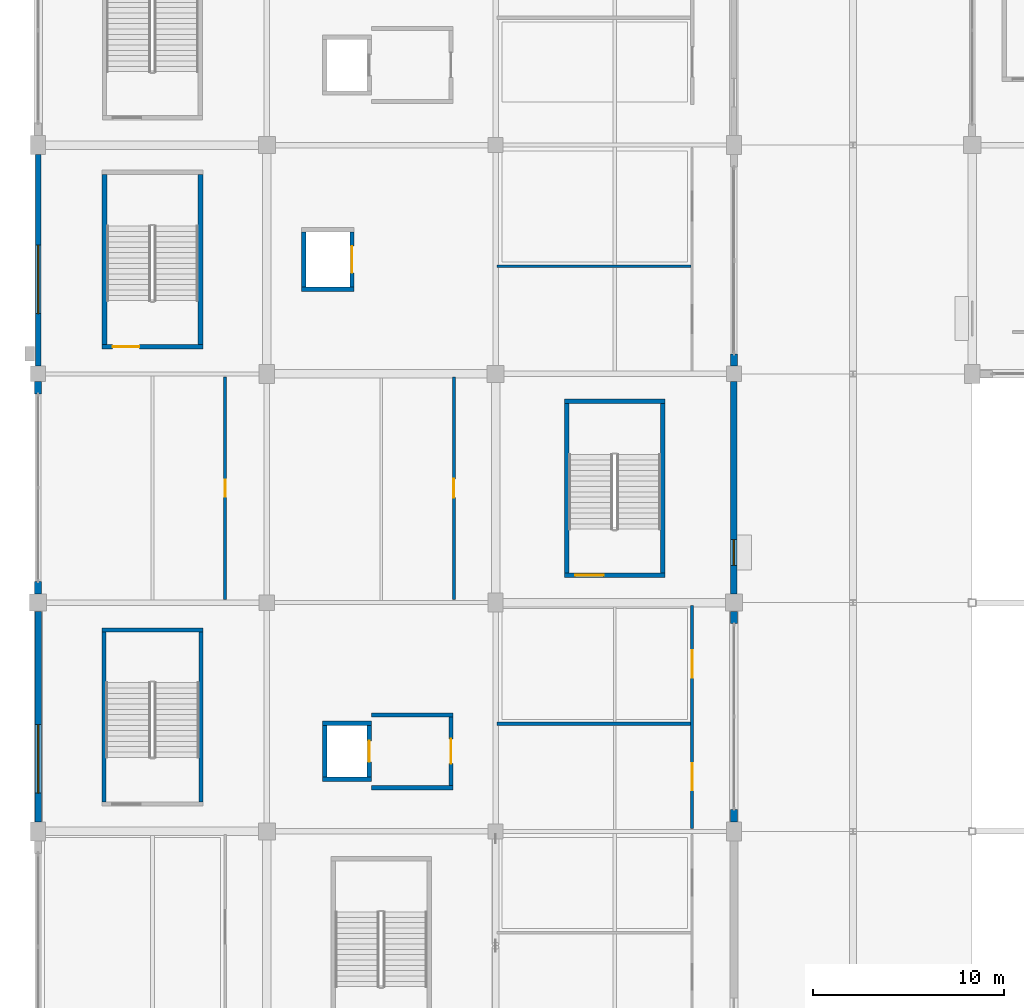
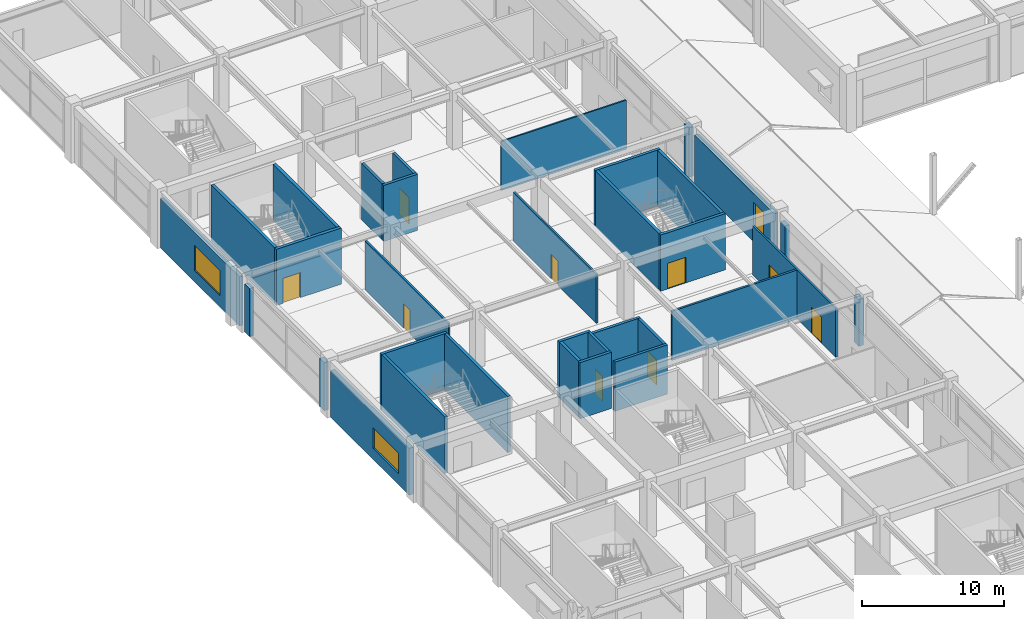
# One storey, part 71 of 116: 33 walls, 9 doors, 3 windows, 12 openings.
"""IFC4 building model written with IfcOpenShell, lengths in metres."""

from ifc_helpers import new_model, si_unit, direction, frame, frame_2d, origin, place, context, subcontext, project, spatial, rectangle, extrude, material, layer, layer_set, type_object, element, fill, save


model = new_model("IFC4")

# Units and contexts
model_context = context("Model", 3, precision=1e-05, world=origin(), true_north=direction((0.0, 1.0)))
body_context = subcontext(model_context, "Body", "Model", "MODEL_VIEW")
ifc_project = project(units=[si_unit("LENGTHUNIT", "METRE"), si_unit("AREAUNIT", "SQUARE_METRE"), si_unit("VOLUMEUNIT", "CUBIC_METRE"), si_unit("PLANEANGLEUNIT", "RADIAN"), si_unit("MASSUNIT", "GRAM", prefix="KILO")], contexts=[model_context])

# Site, building, storey
site_placement = place(None, origin())
site = spatial("IfcSite", under=ifc_project, at=site_placement, CompositionType="ELEMENT")
building_placement = place(site_placement, origin())
building = spatial("IfcBuilding", under=site, at=building_placement, Name="Kazenohara Klinker Stadium", CompositionType="ELEMENT")
storey_placement = place(building_placement, frame((0.0, 0.0, 10.199951171875)))
storey = spatial("IfcBuildingStorey", under=building, at=storey_placement, Name="L02", CompositionType="ELEMENT", Elevation=10.199951171875)

# Walls
ifc_material_1 = material(Name="Concrete C40/50", Category="concrete")
ifc_layer_1 = layer(ifc_material_1, 0.22998046875)
ifc_layer_set_1 = layer_set([ifc_layer_1], Name="Concrete C40/50")
wall_type_1 = type_object("IfcWallType", Name="WAL-CORE-230", PredefinedType="SHEAR", material=ifc_layer_set_1)
wall_1_placement = place(storey_placement, frame((3.340087890625, 118.56494140625, 0.0), z_axis=(0.0, 0.0, 1.0), x_axis=(1.0, 0.0, 0.0)))
element("IfcWall", 1, at=wall_1_placement, inside=storey, type_object=wall_type_1, Name="Stairwell shear wall ST04 L02 North", PredefinedType="SHEAR", context=body_context, shape_type="SweptSolid", body=[
    extrude(rectangle(XDim=5.31982421875, YDim=0.22998046875, at=frame_2d((2.659912109375, 0.0))), origin(), (0.0, 0.0, 1.0), 4.820068359375),
])
for number, where, z_axis, x_axis, name in (
    (2, (3.455078125, 109.550048828125, 0.0), (0.0, 0.0, 1.0), (0.0, 1.0, 0.0), "Stairwell shear wall ST04 L02 West"),
    (3, (8.544921875, 109.550048828125, 0.0), (0.0, 0.0, 1.0), (0.0, 1.0, 0.0), "Stairwell shear wall ST04 L02 East"),
):
    element("IfcWall", number, at=place(storey_placement, frame(where, z_axis=z_axis, x_axis=x_axis)), inside=storey, type_object=wall_type_1, Name=name, PredefinedType="SHEAR", context=body_context, shape_type="SweptSolid", body=[
        extrude(rectangle(XDim=8.89990234375, YDim=0.22998046875, at=frame_2d((4.449951171875, 0.0))), origin(), (0.0, 0.0, 1.0), 4.820068359375),
    ])

# Wall, opening, door
wall_2_placement = place(storey_placement, frame((27.6201171875, 121.43505859375, 0.0), z_axis=(0.0, 0.0, 1.0), x_axis=(1.0, 0.0, 0.0)))
wall_2 = element("IfcWall", 4, at=wall_2_placement, inside=storey, type_object=wall_type_1, Name="Stairwell shear wall ST18 L02 South", PredefinedType="SHEAR", context=body_context, shape_type="SweptSolid", body=[
    extrude(rectangle(XDim=5.259765625, YDim=0.22998046875, at=frame_2d((2.6298828125, 0.0))), origin(), (0.0, 0.0, 1.0), 4.820068359375),
])
opening_1_placement = place(wall_2_placement, frame((0.550048828125, 0.0, 0.0)))
opening_1 = element("IfcOpeningElement", 5, at=opening_1_placement, cuts=wall_2, Name="Opening SD02", PredefinedType="OPENING", context=body_context, shape_type="SweptSolid", body=[
    extrude(rectangle(XDim=1.5, YDim=2.199951171875, at=frame_2d((0.75, 1.10009765625))), frame((0.0, 0.125, 0.0), z_axis=(0.0, -1.0, 0.0), x_axis=(1.0, 0.0, 0.0)), (0.0, 0.0, 1.0), 0.25),
])
ifc_material_2 = material(Name="Flush painted steel fire door leaf", Category="steel")
door_type_1 = type_object("IfcDoorType", Name="DR-STR-1500x2200", OperationType="NOTDEFINED", PredefinedType="DOOR", material=ifc_material_2)
door_1_placement = place(opening_1_placement, origin())
door_1 = element("IfcDoor", 6, at=door_1_placement, inside=storey, type_object=door_type_1, Name="Escape stairwell fire door ST18-L02", OperationType="SINGLE_SWING_RIGHT", OverallHeight=2.199951171875, OverallWidth=1.5, PredefinedType="DOOR", context=body_context, shape_type="SweptSolid", body=[
    extrude(rectangle(XDim=1.5, YDim=2.199951171875, at=frame_2d((0.75, 1.10009765625))), frame((0.0, 0.02490234375, 0.0), z_axis=(0.0, -1.0, 0.0), x_axis=(1.0, 0.0, 0.0)), (0.0, 0.0, 1.0), 0.050048828125),
])
fill(opening_1, door_1)

# Walls
wall_3_placement = place(storey_placement, frame((27.6201171875, 130.56494140625, 0.0), z_axis=(0.0, 0.0, 1.0), x_axis=(1.0, 0.0, 0.0)))
element("IfcWall", 7, at=wall_3_placement, inside=storey, type_object=wall_type_1, Name="Stairwell shear wall ST18 L02 North", PredefinedType="SHEAR", context=body_context, shape_type="SweptSolid", body=[
    extrude(rectangle(XDim=5.259765625, YDim=0.22998046875, at=frame_2d((2.6298828125, 0.0))), origin(), (0.0, 0.0, 1.0), 4.820068359375),
])
for number, where, z_axis, x_axis, name in (
    (8, (27.735107421875, 121.550048828125, 0.0), (0.0, 0.0, 1.0), (0.0, 1.0, 0.0), "Stairwell shear wall ST18 L02 West"),
    (9, (32.764892578125, 121.550048828125, 0.0), (0.0, 0.0, 1.0), (0.0, 1.0, 0.0), "Stairwell shear wall ST18 L02 East"),
):
    element("IfcWall", number, at=place(storey_placement, frame(where, z_axis=z_axis, x_axis=x_axis)), inside=storey, type_object=wall_type_1, Name=name, PredefinedType="SHEAR", context=body_context, shape_type="SweptSolid", body=[
        extrude(rectangle(XDim=8.89990234375, YDim=0.22998046875, at=frame_2d((4.449951171875, 0.0))), origin(), (0.0, 0.0, 1.0), 4.820068359375),
    ])
for number, where, z_axis, x_axis, name in (
    (10, (14.919921875, 110.735107421875, 0.0), (0.0, 0.0, 1.0), (1.0, 0.0, 0.0), "Elevator shaft wall LF02 L02 South"),
    (11, (14.919921875, 113.6650390625, 0.0), (0.0, 0.0, 1.0), (1.0, 0.0, 0.0), "Elevator shaft wall LF02 L02 North"),
):
    element("IfcWall", number, at=place(storey_placement, frame(where, z_axis=z_axis, x_axis=x_axis)), inside=storey, type_object=wall_type_1, Name=name, PredefinedType="SHEAR", context=body_context, shape_type="SweptSolid", body=[
        extrude(rectangle(XDim=2.56005859375, YDim=0.22998046875, at=frame_2d((1.280029296875, 0.0))), origin(), (0.0, 0.0, 1.0), 4.820068359375),
    ])
wall_4_placement = place(storey_placement, frame((15.034912109375, 110.85009765625, 0.0), z_axis=(0.0, 0.0, 1.0), x_axis=(0.0, 1.0, 0.0)))
element("IfcWall", 12, at=wall_4_placement, inside=storey, type_object=wall_type_1, Name="Elevator shaft wall LF02 L02 West", PredefinedType="SHEAR", context=body_context, shape_type="SweptSolid", body=[
    extrude(rectangle(XDim=2.699951171875, YDim=0.22998046875, at=frame_2d((1.35009765625, 0.0))), origin(), (0.0, 0.0, 1.0), 4.820068359375),
])

# Wall, opening, door
wall_5_placement = place(storey_placement, frame((17.364990234375, 110.85009765625, 0.0), z_axis=(0.0, 0.0, 1.0), x_axis=(0.0, 1.0, 0.0)))
wall_5 = element("IfcWall", 13, at=wall_5_placement, inside=storey, type_object=wall_type_1, Name="Elevator shaft wall LF02 L02 East", PredefinedType="SHEAR", context=body_context, shape_type="SweptSolid", body=[
    extrude(rectangle(XDim=2.699951171875, YDim=0.22998046875, at=frame_2d((1.35009765625, 0.0))), origin(), (0.0, 0.0, 1.0), 4.820068359375),
])
opening_2_placement = place(wall_5_placement, frame((0.800048828125, 0.0, 0.0)))
opening_2 = element("IfcOpeningElement", 14, at=opening_2_placement, cuts=wall_5, Name="Opening LD01", PredefinedType="OPENING", context=body_context, shape_type="SweptSolid", body=[
    extrude(rectangle(XDim=1.10009765625, YDim=2.14990234375, at=frame_2d((0.550048828125, 1.074951171875))), frame((0.0, 0.125, 0.0), z_axis=(0.0, -1.0, 0.0), x_axis=(1.0, 0.0, 0.0)), (0.0, 0.0, 1.0), 0.25),
])
ifc_material_3 = material(Name="Stainless steel fire-rated sliding landing door", Category="steel")
door_type_2 = type_object("IfcDoorType", Name="DR-LD01-1100x2150", OperationType="NOTDEFINED", PredefinedType="DOOR", material=ifc_material_3)
door_2_placement = place(opening_2_placement, origin())
door_2 = element("IfcDoor", 15, at=door_2_placement, inside=storey, type_object=door_type_2, Name="Elevator sliding landing door LF02-L02", OperationType="DOUBLE_DOOR_SLIDING", OverallHeight=2.14990234375, OverallWidth=1.10009765625, PredefinedType="DOOR", context=body_context, shape_type="SweptSolid", body=[
    extrude(rectangle(XDim=1.10009765625, YDim=2.14990234375, at=frame_2d((0.550048828125, 1.074951171875))), frame((0.0, 0.02490234375, 0.0), z_axis=(0.0, -1.0, 0.0), x_axis=(1.0, 0.0, 0.0)), (0.0, 0.0, 1.0), 0.050048828125),
])
fill(opening_2, door_2)

# Walls
wall_6_placement = place(storey_placement, frame((13.820068359375, 136.43505859375, 0.0), z_axis=(0.0, 0.0, 1.0), x_axis=(1.0, 0.0, 0.0)))
element("IfcWall", 16, at=wall_6_placement, inside=storey, type_object=wall_type_1, Name="Elevator shaft wall LG01 L02 South", PredefinedType="SHEAR", context=body_context, shape_type="SweptSolid", body=[
    extrude(rectangle(XDim=2.760009765625, YDim=0.22998046875, at=frame_2d((1.3798828125, 0.0))), origin(), (0.0, 0.0, 1.0), 4.820068359375),
])
wall_7_placement = place(storey_placement, frame((13.93505859375, 136.550048828125, 0.0), z_axis=(0.0, 0.0, 1.0), x_axis=(0.0, 1.0, 0.0)))
element("IfcWall", 17, at=wall_7_placement, inside=storey, type_object=wall_type_1, Name="Elevator shaft wall LG01 L02 West", PredefinedType="SHEAR", context=body_context, shape_type="SweptSolid", body=[
    extrude(rectangle(XDim=2.89990234375, YDim=0.22998046875, at=frame_2d((1.449951171875, 0.0))), origin(), (0.0, 0.0, 1.0), 4.820068359375),
])

# Wall, opening, door
wall_8_placement = place(storey_placement, frame((16.465087890625, 136.550048828125, 0.0), z_axis=(0.0, 0.0, 1.0), x_axis=(0.0, 1.0, 0.0)))
wall_8 = element("IfcWall", 18, at=wall_8_placement, inside=storey, type_object=wall_type_1, Name="Elevator shaft wall LG01 L02 East", PredefinedType="SHEAR", context=body_context, shape_type="SweptSolid", body=[
    extrude(rectangle(XDim=2.89990234375, YDim=0.22998046875, at=frame_2d((1.449951171875, 0.0))), origin(), (0.0, 0.0, 1.0), 4.820068359375),
])
opening_3_placement = place(wall_8_placement, frame((0.75, 0.0, 0.0)))
opening_3 = element("IfcOpeningElement", 19, at=opening_3_placement, cuts=wall_8, Name="Opening LD03", PredefinedType="OPENING", context=body_context, shape_type="SweptSolid", body=[
    extrude(rectangle(XDim=1.39990234375, YDim=2.25, at=frame_2d((0.699951171875, 1.125))), frame((0.0, 0.125, 0.0), z_axis=(0.0, -1.0, 0.0), x_axis=(1.0, 0.0, 0.0)), (0.0, 0.0, 1.0), 0.25),
])
ifc_material_4 = material(Name="Heavy-duty stainless steel sliding goods landing door", Category="steel")
door_type_3 = type_object("IfcDoorType", Name="DR-LD03-1400x2250", OperationType="NOTDEFINED", PredefinedType="DOOR", material=ifc_material_4)
door_3_placement = place(opening_3_placement, origin())
door_3 = element("IfcDoor", 20, at=door_3_placement, inside=storey, type_object=door_type_3, Name="Elevator sliding landing door LG01-L02", OperationType="DOUBLE_DOOR_SLIDING", OverallHeight=2.25, OverallWidth=1.39990234375, PredefinedType="DOOR", context=body_context, shape_type="SweptSolid", body=[
    extrude(rectangle(XDim=1.39990234375, YDim=2.25, at=frame_2d((0.699951171875, 1.125))), frame((0.0, 0.02490234375, 0.0), z_axis=(0.0, -1.0, 0.0), x_axis=(1.0, 0.0, 0.0)), (0.0, 0.0, 1.0), 0.050048828125),
])
fill(opening_3, door_3)

ifc_layer_2 = layer(ifc_material_1, 0.25)
ifc_layer_set_2 = layer_set([ifc_layer_2], Name="Concrete C40/50")
wall_type_2 = type_object("IfcWallType", Name="WAL-CORE-250", PredefinedType="SHEAR", material=ifc_layer_set_2)
wall_9_placement = place(storey_placement, frame((3.360107421875, 133.425048828125, 0.0), z_axis=(0.0, 0.0, 1.0), x_axis=(1.0, 0.0, 0.0)))
wall_9 = element("IfcWall", 21, at=wall_9_placement, inside=storey, type_object=wall_type_2, Name="Stairwell shear wall ST05 L02 South", PredefinedType="SHEAR", context=body_context, shape_type="SweptSolid", body=[
    extrude(rectangle(XDim=5.27978515625, YDim=0.25, at=frame_2d((2.639892578125, 0.0))), origin(), (0.0, 0.0, 1.0), 4.820068359375),
])
opening_4_placement = place(wall_9_placement, frame((0.550048828125, 0.0, 0.0)))
opening_4 = element("IfcOpeningElement", 22, at=opening_4_placement, cuts=wall_9, Name="Opening SD01", PredefinedType="OPENING", context=body_context, shape_type="SweptSolid", body=[
    extrude(rectangle(XDim=1.39990234375, YDim=2.14990234375, at=frame_2d((0.699951171875, 1.074951171875))), frame((0.0, 0.135009765625, 0.0), z_axis=(0.0, -1.0, 0.0), x_axis=(1.0, 0.0, 0.0)), (0.0, 0.0, 1.0), 0.27001953125),
])
door_type_4 = type_object("IfcDoorType", Name="DR-STR-1400x2150", OperationType="NOTDEFINED", PredefinedType="DOOR", material=ifc_material_2)
door_4_placement = place(opening_4_placement, origin())
door_4 = element("IfcDoor", 23, at=door_4_placement, inside=storey, type_object=door_type_4, Name="Escape stairwell fire door ST05-L02", OperationType="SINGLE_SWING_RIGHT", OverallHeight=2.14990234375, OverallWidth=1.39990234375, PredefinedType="DOOR", context=body_context, shape_type="SweptSolid", body=[
    extrude(rectangle(XDim=1.39990234375, YDim=2.14990234375, at=frame_2d((0.699951171875, 1.074951171875))), frame((0.0, 0.02490234375, 0.0), z_axis=(0.0, -1.0, 0.0), x_axis=(1.0, 0.0, 0.0)), (0.0, 0.0, 1.0), 0.050048828125),
])
fill(opening_4, door_4)

# Walls
for number, where, z_axis, x_axis, name in (
    (24, (3.485107421875, 133.550048828125, 0.0), (0.0, 0.0, 1.0), (0.0, 1.0, 0.0), "Stairwell shear wall ST05 L02 West"),
    (25, (8.514892578125, 133.550048828125, 0.0), (0.0, 0.0, 1.0), (0.0, 1.0, 0.0), "Stairwell shear wall ST05 L02 East"),
):
    element("IfcWall", number, at=place(storey_placement, frame(where, z_axis=z_axis, x_axis=x_axis)), inside=storey, type_object=wall_type_2, Name=name, PredefinedType="SHEAR", context=body_context, shape_type="SweptSolid", body=[
        extrude(rectangle(XDim=8.89990234375, YDim=0.25, at=frame_2d((4.449951171875, 0.0))), origin(), (0.0, 0.0, 1.0), 4.820068359375),
    ])

# Wall, opening, window
ifc_material_5 = material(Name="Clinker brick masonry", Category="masonry")
ifc_layer_3 = layer(ifc_material_5, 0.280029296875)
ifc_layer_set_3 = layer_set([ifc_layer_3], Name="Clinker brick masonry")
wall_type_3 = type_object("IfcWallType", Name="WAL-EXT-CB280", PredefinedType="SOLIDWALL", material=ifc_layer_set_3)
wall_10_placement = place(storey_placement, frame((0.0, 132.404052734375, 0.0), z_axis=(0.0, 0.0, 1.0), x_axis=(0.0, 1.0, 0.0)))
wall_10 = element("IfcWall", 26, at=wall_10_placement, inside=storey, type_object=wall_type_3, Name="Clinker brick cavity wall EW06 L02 Y0-11", PredefinedType="SOLIDWALL", context=body_context, shape_type="SweptSolid", body=[
    extrude(rectangle(XDim=11.092041015625, YDim=0.280029296875, at=frame_2d((5.5458984375, 0.0))), origin(), (0.0, 0.0, 1.0), 4.23193359375),
])
opening_5_placement = place(wall_10_placement, frame((2.75, 0.0, 0.949951171875)))
opening_5 = element("IfcOpeningElement", 27, at=opening_5_placement, cuts=wall_10, Name="Opening W36", PredefinedType="OPENING", context=body_context, shape_type="SweptSolid", body=[
    extrude(rectangle(XDim=3.60009765625, YDim=2.14990234375, at=frame_2d((1.800048828125, 1.074951171875))), frame((0.0, 0.14990234375, 0.0), z_axis=(0.0, -1.0, 0.0), x_axis=(1.0, 0.0, 0.0)), (0.0, 0.0, 1.0), 0.300048828125),
])
ifc_material_6 = material(Name="Dark bronze aluminium frame and triple glazing", Category="aluminium")
window_type_1 = type_object("IfcWindowType", Name="WIN-AS-36", PartitioningType="SINGLE_PANEL", PredefinedType="WINDOW", material=ifc_material_6)
window_1_placement = place(opening_5_placement, origin())
window_1 = element("IfcWindow", 28, at=window_1_placement, inside=storey, type_object=window_type_1, Name="Horizontal-mullion ladder window W36 L02 Y0-11", OverallHeight=2.14990234375, OverallWidth=3.60009765625, PartitioningType="SINGLE_PANEL", PredefinedType="WINDOW", context=body_context, shape_type="SweptSolid", body=[
    extrude(rectangle(XDim=3.60009765625, YDim=2.14990234375, at=frame_2d((1.800048828125, 1.074951171875))), frame((0.0, 0.030029296875, 0.0), z_axis=(0.0, -1.0, 0.0), x_axis=(1.0, 0.0, 0.0)), (0.0, 0.0, 1.0), 0.06005859375),
])
fill(opening_5, window_1)

ifc_layer_4 = layer(ifc_material_5, 0.340087890625)
ifc_layer_set_4 = layer_set([ifc_layer_4], Name="Clinker brick masonry")
wall_type_4 = type_object("IfcWallType", Name="WAL-EXT-CB340", PredefinedType="SOLIDWALL", material=ifc_layer_set_4)
wall_11_placement = place(storey_placement, frame((0.0, 108.50390625, 0.0), z_axis=(0.0, 0.0, 1.0), x_axis=(0.0, 1.0, 0.0)))
wall_11 = element("IfcWall", 29, at=wall_11_placement, inside=storey, type_object=wall_type_4, Name="Clinker brick cavity wall EW04 L02 Y0-9", PredefinedType="SOLIDWALL", context=body_context, shape_type="SweptSolid", body=[
    extrude(rectangle(XDim=11.0419921875, YDim=0.340087890625, at=frame_2d((5.52099609375, 0.0))), origin(), (0.0, 0.0, 1.0), 4.02001953125),
])
opening_6_placement = place(wall_11_placement, frame((1.5, 0.0, 0.949951171875)))
opening_6 = element("IfcOpeningElement", 30, at=opening_6_placement, cuts=wall_11, Name="Opening W35", PredefinedType="OPENING", context=body_context, shape_type="SweptSolid", body=[
    extrude(rectangle(XDim=3.60009765625, YDim=1.75, at=frame_2d((1.800048828125, 0.875))), frame((0.0, 0.18017578125, 0.0), z_axis=(0.0, -1.0, 0.0), x_axis=(1.0, 0.0, 0.0)), (0.0, 0.0, 1.0), 0.360107421875),
])
window_type_2 = type_object("IfcWindowType", Name="WIN-AS-35", PartitioningType="SINGLE_PANEL", PredefinedType="WINDOW", material=ifc_material_6)
window_2_placement = place(opening_6_placement, origin())
window_2 = element("IfcWindow", 31, at=window_2_placement, inside=storey, type_object=window_type_2, Name="Horizontal-mullion ladder window W35 L02 Y0-9", OverallHeight=1.75, OverallWidth=3.60009765625, PartitioningType="SINGLE_PANEL", PredefinedType="WINDOW", context=body_context, shape_type="SweptSolid", body=[
    extrude(rectangle(XDim=3.60009765625, YDim=1.75, at=frame_2d((1.800048828125, 0.875))), frame((0.0, 0.030029296875, 0.0), z_axis=(0.0, -1.0, 0.0), x_axis=(1.0, 0.0, 0.0)), (0.0, 0.0, 1.0), 0.06005859375),
])
fill(opening_6, window_2)

wall_12_placement = place(storey_placement, frame((36.5, 120.4541015625, 0.0), z_axis=(0.0, 0.0, 1.0), x_axis=(0.0, 1.0, 0.0)))
wall_12 = element("IfcWall", 32, at=wall_12_placement, inside=storey, type_object=wall_type_4, Name="Clinker brick cavity wall EW04 L02 Y3-10", PredefinedType="SOLIDWALL", context=body_context, shape_type="SweptSolid", body=[
    extrude(rectangle(XDim=11.141845703125, YDim=0.340087890625, at=frame_2d((5.57080078125, 0.0))), origin(), (0.0, 0.0, 1.0), 4.1201171875),
])
opening_7_placement = place(wall_12_placement, frame((1.5, 0.0, 0.949951171875)))
opening_7 = element("IfcOpeningElement", 33, at=opening_7_placement, cuts=wall_12, Name="Opening W08", PredefinedType="OPENING", context=body_context, shape_type="SweptSolid", body=[
    extrude(rectangle(XDim=1.35009765625, YDim=2.39990234375, at=frame_2d((0.675048828125, 1.199951171875))), frame((0.0, 0.18017578125, 0.0), z_axis=(0.0, -1.0, 0.0), x_axis=(1.0, 0.0, 0.0)), (0.0, 0.0, 1.0), 0.360107421875),
])
window_type_3 = type_object("IfcWindowType", Name="WIN-AS-08", PartitioningType="SINGLE_PANEL", PredefinedType="WINDOW", material=ifc_material_6)
window_3_placement = place(opening_7_placement, origin())
window_3 = element("IfcWindow", 34, at=window_3_placement, inside=storey, type_object=window_type_3, Name="Horizontal-mullion ladder window W08 L02 Y3-10", OverallHeight=2.39990234375, OverallWidth=1.35009765625, PartitioningType="SINGLE_PANEL", PredefinedType="WINDOW", context=body_context, shape_type="SweptSolid", body=[
    extrude(rectangle(XDim=1.35009765625, YDim=2.39990234375, at=frame_2d((0.675048828125, 1.199951171875))), frame((0.0, 0.030029296875, 0.0), z_axis=(0.0, -1.0, 0.0), x_axis=(1.0, 0.0, 0.0)), (0.0, 0.0, 1.0), 0.06005859375),
])
fill(opening_7, window_3)

# Walls
ifc_layer_5 = layer(ifc_material_5, 0.3701171875)
ifc_layer_set_5 = layer_set([ifc_layer_5], Name="Clinker brick masonry")
wall_type_5 = type_object("IfcWallType", Name="WAL-EXT-CB370", PredefinedType="SOLIDWALL", material=ifc_layer_set_5)
for number, where, z_axis, x_axis, name in (
    (35, (0.0, 120.4541015625, 0.0), (0.0, 0.0, 1.0), (0.0, 1.0, 0.0), "Clinker brick curtain-wall jamb pier L02 Y0-10 A"),
    (36, (0.0, 130.946044921875, 0.0), (0.0, 0.0, 1.0), (0.0, 1.0, 0.0), "Clinker brick curtain-wall jamb pier L02 Y0-10 B"),
):
    element("IfcWall", number, at=place(storey_placement, frame(where, z_axis=z_axis, x_axis=x_axis)), inside=storey, type_object=wall_type_5, Name=name, PredefinedType="SOLIDWALL", context=body_context, shape_type="SweptSolid", body=[
        extrude(rectangle(XDim=0.64990234375, YDim=0.3701171875, at=frame_2d((0.324951171875, 0.0))), origin(), (0.0, 0.0, 1.0), 4.1201171875),
    ])
wall_13_placement = place(storey_placement, frame((36.5, 108.50390625, 0.0), z_axis=(0.0, 0.0, 1.0), x_axis=(0.0, 1.0, 0.0)))
element("IfcWall", 37, at=wall_13_placement, inside=storey, type_object=wall_type_5, Name="Clinker brick curtain-wall jamb pier L02 Y3-9 A", PredefinedType="SOLIDWALL", context=body_context, shape_type="SweptSolid", body=[
    extrude(rectangle(XDim=0.650146484375, YDim=0.3701171875, at=frame_2d((0.3251953125, 0.0))), origin(), (0.0, 0.0, 1.0), 4.02001953125),
])
wall_14_placement = place(storey_placement, frame((36.5, 118.89599609375, 0.0), z_axis=(0.0, 0.0, 1.0), x_axis=(0.0, 1.0, 0.0)))
element("IfcWall", 38, at=wall_14_placement, inside=storey, type_object=wall_type_5, Name="Clinker brick curtain-wall jamb pier L02 Y3-9 B", PredefinedType="SOLIDWALL", context=body_context, shape_type="SweptSolid", body=[
    extrude(rectangle(XDim=0.64990234375, YDim=0.3701171875, at=frame_2d((0.324951171875, 0.0))), origin(), (0.0, 0.0, 1.0), 4.02001953125),
])
wall_15_placement = place(storey_placement, frame((36.5, 132.404052734375, 0.0), z_axis=(0.0, 0.0, 1.0), x_axis=(0.0, 1.0, 0.0)))
element("IfcWall", 39, at=wall_15_placement, inside=storey, type_object=wall_type_5, Name="Clinker brick curtain-wall jamb pier L02 Y3-11 A", PredefinedType="SOLIDWALL", context=body_context, shape_type="SweptSolid", body=[
    extrude(rectangle(XDim=0.64990234375, YDim=0.3701171875, at=frame_2d((0.324951171875, 0.0))), origin(), (0.0, 0.0, 1.0), 4.23193359375),
])
ifc_layer_6 = layer(ifc_material_1, 0.219970703125)
ifc_layer_set_6 = layer_set([ifc_layer_6], Name="Concrete C40/50")
wall_type_6 = type_object("IfcWallType", Name="WAL-INT-FF220", PredefinedType="SOLIDWALL", material=ifc_layer_set_6)
for number, where, z_axis, x_axis, name in (
    (40, (17.47998046875, 110.2900390625, 0.0), (0.0, 0.0, 1.0), (1.0, 0.0, 0.0), "Firefighting lobby wall LF02 L02 South"),
    (41, (17.47998046875, 114.110107421875, 0.0), (0.0, 0.0, 1.0), (1.0, 0.0, 0.0), "Firefighting lobby wall LF02 L02 North"),
):
    element("IfcWall", number, at=place(storey_placement, frame(where, z_axis=z_axis, x_axis=x_axis)), inside=storey, type_object=wall_type_6, Name=name, PredefinedType="SOLIDWALL", context=body_context, shape_type="SweptSolid", body=[
        extrude(rectangle(XDim=4.2900390625, YDim=0.219970703125, at=frame_2d((2.14501953125, 0.0))), origin(), (0.0, 0.0, 1.0), 4.219970703125),
    ])

# Wall, opening, door
wall_16_placement = place(storey_placement, frame((21.659912109375, 110.39990234375, 0.0), z_axis=(0.0, 0.0, 1.0), x_axis=(0.0, 1.0, 0.0)))
wall_16 = element("IfcWall", 42, at=wall_16_placement, inside=storey, type_object=wall_type_6, Name="Firefighting lobby front wall LF02 L02", PredefinedType="SOLIDWALL", context=body_context, shape_type="SweptSolid", body=[
    extrude(rectangle(XDim=3.60009765625, YDim=0.219970703125, at=frame_2d((1.800048828125, 0.0))), origin(), (0.0, 0.0, 1.0), 4.219970703125),
])
opening_8_placement = place(wall_16_placement, frame((1.14990234375, 0.0, 0.0)))
opening_8 = element("IfcOpeningElement", 43, at=opening_8_placement, cuts=wall_16, Name="Opening FD01", PredefinedType="OPENING", context=body_context, shape_type="SweptSolid", body=[
    extrude(rectangle(XDim=1.300048828125, YDim=2.14990234375, at=frame_2d((0.64990234375, 1.074951171875))), frame((0.0, 0.1201171875, 0.0), z_axis=(0.0, -1.0, 0.0), x_axis=(1.0, 0.0, 0.0)), (0.0, 0.0, 1.0), 0.239990234375),
])
ifc_material_7 = material(Name="Smoke-sealed steel fire lobby door", Category="steel")
door_type_5 = type_object("IfcDoorType", Name="DR-FFL-1300x2150", OperationType="NOTDEFINED", PredefinedType="DOOR", material=ifc_material_7)
door_5_placement = place(opening_8_placement, origin())
door_5 = element("IfcDoor", 44, at=door_5_placement, inside=storey, type_object=door_type_5, Name="Firefighting lobby smoke-sealed door LF02-L02", OperationType="SINGLE_SWING_LEFT", OverallHeight=2.14990234375, OverallWidth=1.300048828125, PredefinedType="DOOR", context=body_context, shape_type="SweptSolid", body=[
    extrude(rectangle(XDim=1.300048828125, YDim=2.14990234375, at=frame_2d((0.64990234375, 1.074951171875))), frame((0.0, 0.02490234375, 0.0), z_axis=(0.0, -1.0, 0.0), x_axis=(1.0, 0.0, 0.0)), (0.0, 0.0, 1.0), 0.050048828125),
])
fill(opening_8, door_5)

# Wall
ifc_material_8 = material(Name="Fire-rated gypsum board on acoustic studs", Category="gypsum")
ifc_layer_7 = layer(ifc_material_8, 0.1201171875)
ifc_layer_set_7 = layer_set([ifc_layer_7], Name="Fire-rated gypsum board on acoustic studs")
wall_type_7 = type_object("IfcWallType", Name="WAL-INT-P120", PredefinedType="PARTITIONING", material=ifc_layer_set_7)
wall_17_placement = place(storey_placement, frame((24.080078125, 137.649658203125, 0.0), z_axis=(0.0, 0.0, 1.0), x_axis=(1.0, 0.0, 0.0)))
element("IfcWall", 45, at=wall_17_placement, inside=storey, type_object=wall_type_7, Name="Interior partition wall PT02 SPC-L02-02-11-1-2", PredefinedType="PARTITIONING", context=body_context, shape_type="SweptSolid", body=[
    extrude(rectangle(XDim=10.169921875, YDim=0.1201171875, at=frame_2d((5.0849609375, 0.0))), origin(), (0.0, 0.0, 1.0), 4.219970703125),
])

# Wall, opening, door
ifc_layer_8 = layer(ifc_material_8, 0.14990234375)
ifc_layer_set_8 = layer_set([ifc_layer_8], Name="Fire-rated gypsum board on acoustic studs")
wall_type_8 = type_object("IfcWallType", Name="WAL-INT-P150", PredefinedType="PARTITIONING", material=ifc_layer_set_8)
wall_18_placement = place(storey_placement, frame((9.81005859375, 120.159912109375, 0.0), z_axis=(0.0, 0.0, 1.0), x_axis=(0.0, 1.0, 0.0)))
wall_18 = element("IfcWall", 46, at=wall_18_placement, inside=storey, type_object=wall_type_8, Name="Interior partition wall PT04 SPC-L02-00-10-1-1", PredefinedType="PARTITIONING", context=body_context, shape_type="SweptSolid", body=[
    extrude(rectangle(XDim=11.68017578125, YDim=0.14990234375, at=frame_2d((5.840087890625, 0.0))), origin(), (0.0, 0.0, 1.0), 4.219970703125),
])
opening_9_placement = place(wall_18_placement, frame((5.389892578125, 0.0, 0.0)))
opening_9 = element("IfcOpeningElement", 47, at=opening_9_placement, cuts=wall_18, Name="Opening ID01", PredefinedType="OPENING", context=body_context, shape_type="SweptSolid", body=[
    extrude(rectangle(XDim=0.89990234375, YDim=2.06005859375, at=frame_2d((0.449951171875, 1.030029296875))), frame((0.0, 0.0849609375, 0.0), z_axis=(0.0, -1.0, 0.0), x_axis=(1.0, 0.0, 0.0)), (0.0, 0.0, 1.0), 0.169921875),
])
ifc_material_9 = material(Name="Solid-core Hokkaido oak fire door", Category="wood")
door_type_6 = type_object("IfcDoorType", Name="DR-INT-01", OperationType="NOTDEFINED", PredefinedType="DOOR", material=ifc_material_9)
door_6_placement = place(opening_9_placement, origin())
door_6 = element("IfcDoor", 48, at=door_6_placement, inside=storey, type_object=door_type_6, Name="Interior door ID01 Civic Sports Archive Reading Room L02-0010A", OperationType="SINGLE_SWING_RIGHT", OverallHeight=2.06005859375, OverallWidth=0.89990234375, PredefinedType="DOOR", context=body_context, shape_type="SweptSolid", body=[
    extrude(rectangle(XDim=0.89990234375, YDim=2.06005859375, at=frame_2d((0.449951171875, 1.030029296875))), frame((0.0, 0.02490234375, 0.0), z_axis=(0.0, -1.0, 0.0), x_axis=(1.0, 0.0, 0.0)), (0.0, 0.0, 1.0), 0.050048828125),
])
fill(opening_9, door_6)

wall_19_placement = place(storey_placement, frame((21.81005859375, 120.159912109375, 0.0), z_axis=(0.0, 0.0, 1.0), x_axis=(0.0, 1.0, 0.0)))
wall_19 = element("IfcWall", 49, at=wall_19_placement, inside=storey, type_object=wall_type_8, Name="Interior partition wall PT04 SPC-L02-01-10-1-1", PredefinedType="PARTITIONING", context=body_context, shape_type="SweptSolid", body=[
    extrude(rectangle(XDim=11.68017578125, YDim=0.14990234375, at=frame_2d((5.840087890625, 0.0))), origin(), (0.0, 0.0, 1.0), 4.219970703125),
])
opening_10_placement = place(wall_19_placement, frame((5.35009765625, 0.0, 0.0)))
opening_10 = element("IfcOpeningElement", 50, at=opening_10_placement, cuts=wall_19, Name="Opening ID04", PredefinedType="OPENING", context=body_context, shape_type="SweptSolid", body=[
    extrude(rectangle(XDim=0.97998046875, YDim=2.10009765625, at=frame_2d((0.489990234375, 1.050048828125))), frame((0.0, 0.0849609375, 0.0), z_axis=(0.0, -1.0, 0.0), x_axis=(1.0, 0.0, 0.0)), (0.0, 0.0, 1.0), 0.169921875),
])
door_type_7 = type_object("IfcDoorType", Name="DR-INT-04", OperationType="NOTDEFINED", PredefinedType="DOOR", material=ifc_material_9)
door_7_placement = place(opening_10_placement, origin())
door_7 = element("IfcDoor", 51, at=door_7_placement, inside=storey, type_object=door_type_7, Name="Interior door ID04 Founders Club Hospitality Lounge L02-0110A", OperationType="SINGLE_SWING_LEFT", OverallHeight=2.10009765625, OverallWidth=0.97998046875, PredefinedType="DOOR", context=body_context, shape_type="SweptSolid", body=[
    extrude(rectangle(XDim=0.97998046875, YDim=2.10009765625, at=frame_2d((0.489990234375, 1.050048828125))), frame((0.0, 0.02490234375, 0.0), z_axis=(0.0, -1.0, 0.0), x_axis=(1.0, 0.0, 0.0)), (0.0, 0.0, 1.0), 0.050048828125),
])
fill(opening_10, door_7)

# Wall, openings, doors
wall_20_placement = place(storey_placement, frame((34.31005859375, 108.159912109375, 0.0), z_axis=(0.0, 0.0, 1.0), x_axis=(0.0, 1.0, 0.0)))
wall_20 = element("IfcWall", 52, at=wall_20_placement, inside=storey, type_object=wall_type_8, Name="Interior partition wall PT04 SPC-L02-02-09-1-1", PredefinedType="PARTITIONING", context=body_context, shape_type="SweptSolid", body=[
    extrude(rectangle(XDim=11.68017578125, YDim=0.14990234375, at=frame_2d((5.840087890625, 0.0))), origin(), (0.0, 0.0, 1.0), 4.219970703125),
])
opening_11_placement = place(wall_20_placement, frame((2.0048828125, 0.0, 0.0)))
opening_11 = element("IfcOpeningElement", 53, at=opening_11_placement, cuts=wall_20, Name="Opening ID18", PredefinedType="OPENING", context=body_context, shape_type="SweptSolid", body=[
    extrude(rectangle(XDim=1.39990234375, YDim=2.239990234375, at=frame_2d((0.699951171875, 1.1201171875))), frame((0.0, 0.0849609375, 0.0), z_axis=(0.0, -1.0, 0.0), x_axis=(1.0, 0.0, 0.0)), (0.0, 0.0, 1.0), 0.169921875),
])
opening_12_placement = place(wall_20_placement, frame((7.90478515625, 0.0, 0.0)))
opening_12 = element("IfcOpeningElement", 54, at=opening_12_placement, cuts=wall_20, Name="Opening ID19", PredefinedType="OPENING", context=body_context, shape_type="SweptSolid", body=[
    extrude(rectangle(XDim=1.43994140625, YDim=2.260009765625, at=frame_2d((0.719970703125, 1.1298828125))), frame((0.0, 0.0849609375, 0.0), z_axis=(0.0, -1.0, 0.0), x_axis=(1.0, 0.0, 0.0)), (0.0, 0.0, 1.0), 0.169921875),
])
door_type_8 = type_object("IfcDoorType", Name="DR-INT-18", OperationType="NOTDEFINED", PredefinedType="DOOR", material=ifc_material_9)
door_8_placement = place(opening_11_placement, origin())
door_8 = element("IfcDoor", 55, at=door_8_placement, inside=storey, type_object=door_type_8, Name="Interior door ID18 Club Level Sommelier Wine Bar L02-0209A", OperationType="SINGLE_SWING_LEFT", OverallHeight=2.239990234375, OverallWidth=1.39990234375, PredefinedType="DOOR", context=body_context, shape_type="SweptSolid", body=[
    extrude(rectangle(XDim=1.39990234375, YDim=2.239990234375, at=frame_2d((0.699951171875, 1.1201171875))), frame((0.0, 0.02490234375, 0.0), z_axis=(0.0, -1.0, 0.0), x_axis=(1.0, 0.0, 0.0)), (0.0, 0.0, 1.0), 0.050048828125),
])
fill(opening_11, door_8)
ifc_material_10 = material(Name="Painted steel plant fire door", Category="steel")
door_type_9 = type_object("IfcDoorType", Name="DR-INT-19", OperationType="NOTDEFINED", PredefinedType="DOOR", material=ifc_material_10)
door_9_placement = place(opening_12_placement, origin())
door_9 = element("IfcDoor", 56, at=door_9_placement, inside=storey, type_object=door_type_9, Name="Interior door ID19 Civic Sports Archive Reading Room L02-0209B", OperationType="SINGLE_SWING_RIGHT", OverallHeight=2.260009765625, OverallWidth=1.43994140625, PredefinedType="DOOR", context=body_context, shape_type="SweptSolid", body=[
    extrude(rectangle(XDim=1.43994140625, YDim=2.260009765625, at=frame_2d((0.719970703125, 1.1298828125))), frame((0.0, 0.02490234375, 0.0), z_axis=(0.0, -1.0, 0.0), x_axis=(1.0, 0.0, 0.0)), (0.0, 0.0, 1.0), 0.050048828125),
])
fill(opening_12, door_9)

# Wall
ifc_layer_9 = layer(ifc_material_8, 0.169921875)
ifc_layer_set_9 = layer_set([ifc_layer_9], Name="Fire-rated gypsum board on acoustic studs")
wall_type_9 = type_object("IfcWallType", Name="WAL-INT-P170", PredefinedType="PARTITIONING", material=ifc_layer_set_9)
wall_21_placement = place(storey_placement, frame((24.080078125, 113.649658203125, 0.0), z_axis=(0.0, 0.0, 1.0), x_axis=(1.0, 0.0, 0.0)))
element("IfcWall", 57, at=wall_21_placement, inside=storey, type_object=wall_type_9, Name="Interior partition wall PT05 SPC-L02-02-09-1-2", PredefinedType="PARTITIONING", context=body_context, shape_type="SweptSolid", body=[
    extrude(rectangle(XDim=10.14990234375, YDim=0.169921875, at=frame_2d((5.074951171875, 0.0))), origin(), (0.0, 0.0, 1.0), 4.219970703125),
])

save(model, "model.ifc")
